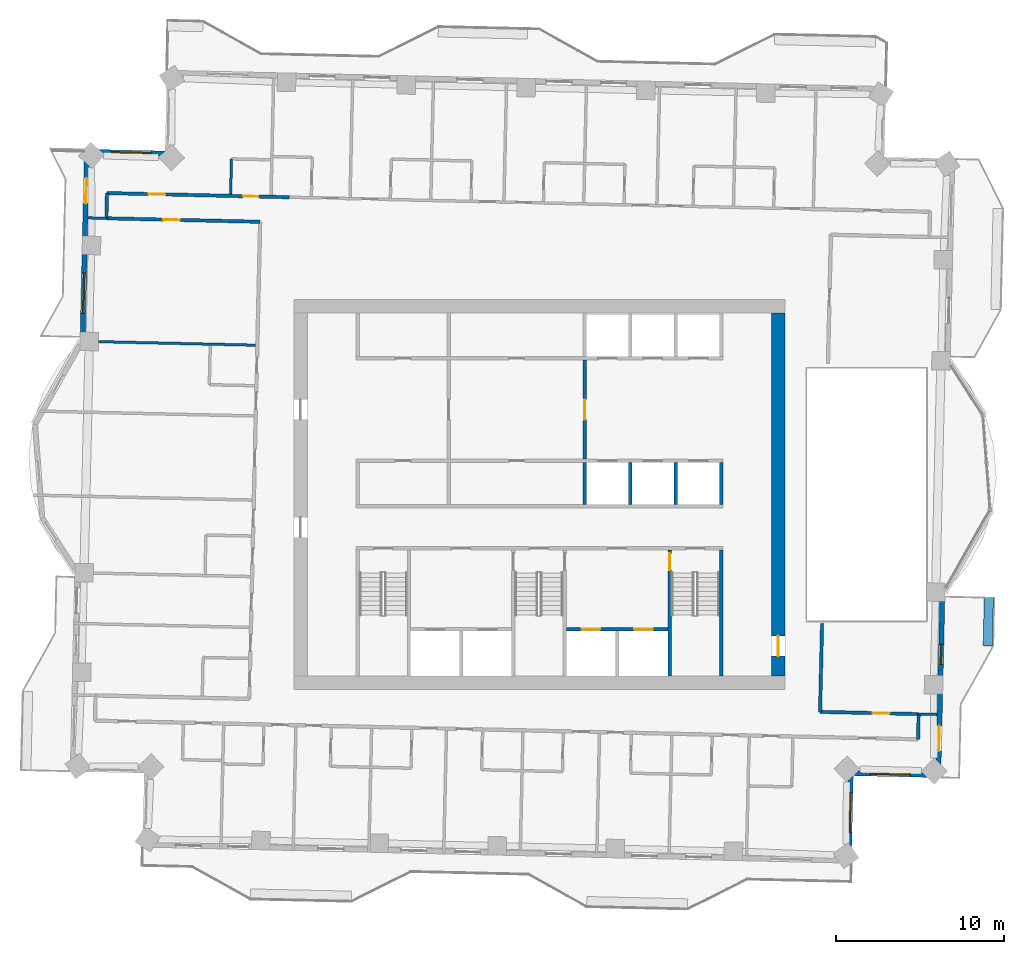
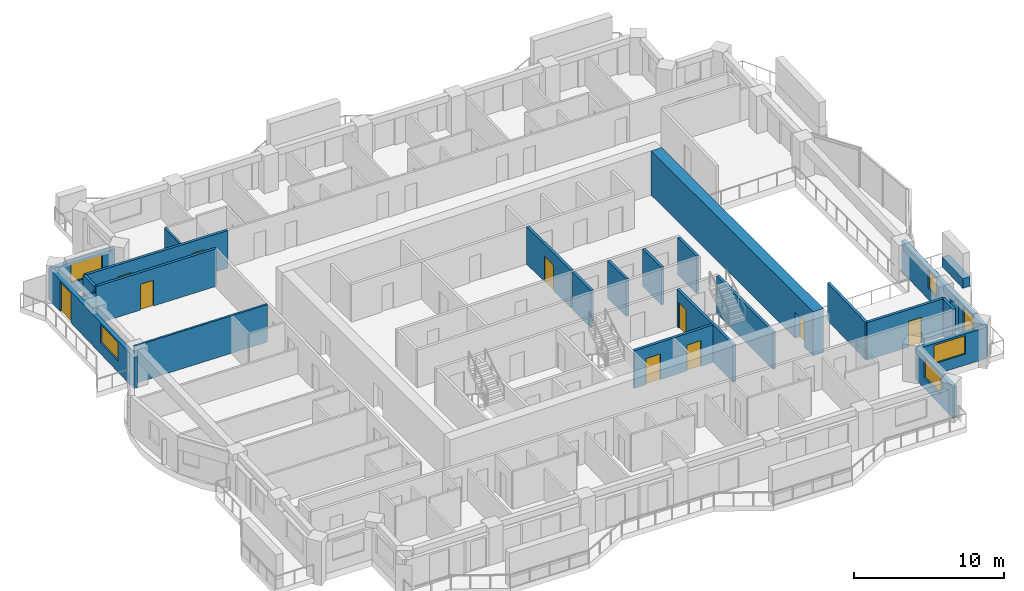
# One storey, part 7 of 14: 25 walls, 11 doors, 5 windows, 16 openings.
"""IFC4 building model written with IfcOpenShell, lengths in metres."""

from ifc_helpers import new_model, si_unit, direction, frame, frame_2d, origin, place, context, subcontext, project, spatial, rectangle, extrude, material, layer, layer_set, type_object, element, fill, save


model = new_model("IFC4")

# Units and contexts
model_context = context("Model", 3, precision=1e-05, world=origin(), true_north=direction((0.0, 1.0)))
body_context = subcontext(model_context, "Body", "Model", "MODEL_VIEW")
ifc_project = project(units=[si_unit("LENGTHUNIT", "METRE"), si_unit("AREAUNIT", "SQUARE_METRE"), si_unit("VOLUMEUNIT", "CUBIC_METRE"), si_unit("PLANEANGLEUNIT", "RADIAN"), si_unit("MASSUNIT", "GRAM", prefix="KILO")], contexts=[model_context])

# Site, building, storey
site_placement = place(None, origin())
site = spatial("IfcSite", under=ifc_project, at=site_placement, CompositionType="ELEMENT")
building_placement = place(site_placement, origin())
building = spatial("IfcBuilding", under=site, at=building_placement, Name="Mangrove Gate Tower", CompositionType="ELEMENT")
storey_placement = place(building_placement, frame((0.0, 0.0, 208.699951171875)))
storey = spatial("IfcBuildingStorey", under=building, at=storey_placement, Name="L53", CompositionType="ELEMENT", Elevation=208.699951171875)

# Wall, opening, door
ifc_material_1 = material(Name="Concrete C32/40", Category="concrete")
ifc_layer_1 = layer(ifc_material_1, 0.199951171875)
ifc_layer_set_1 = layer_set([ifc_layer_1], Name="Core lobby wall 200 C32/40")
wall_type_1 = type_object("IfcWallType", Name="Core lobby wall 200 C32/40", PredefinedType="STANDARD", material=ifc_layer_set_1)
wall_1_placement = place(storey_placement, frame((2.699951171875, 2.10009765625, 0.0), z_axis=(0.0, 0.0, 1.0), x_axis=(0.0, 1.0, 0.0)))
wall_1 = element("IfcWall", 1, at=wall_1_placement, inside=storey, type_object=wall_type_1, Name="WALL-L53-CORE-32", PredefinedType="STANDARD", context=body_context, shape_type="SweptSolid", body=[
    extrude(rectangle(XDim=5.89990234375, YDim=0.199951171875, at=frame_2d((2.949951171875, 0.0))), origin(), (0.0, 0.0, 1.0), 3.050048828125),
])
opening_1_placement = place(wall_1_placement, frame((2.35009765625, 0.0, 0.0)))
opening_1 = element("IfcOpeningElement", 2, at=opening_1_placement, cuts=wall_1, Name="Opening FL12", PredefinedType="OPENING", context=body_context, shape_type="SweptSolid", body=[
    extrude(rectangle(XDim=1.199951171875, YDim=2.10009765625, at=frame_2d((0.60009765625, 1.050048828125))), frame((0.0, 0.10986328125, 0.0), z_axis=(0.0, -1.0, 0.0), x_axis=(1.0, 0.0, 0.0)), (0.0, 0.0, 1.0), 0.219970703125),
])
ifc_material_2 = material(Name="Fire-rated steel door set", Category="steel")
door_type_1 = type_object("IfcDoorType", Name="Lobby door FD60 1200x2100", OperationType="SINGLE_SWING_LEFT", PredefinedType="DOOR", material=ifc_material_2)
door_1_placement = place(opening_1_placement, origin())
door_1 = element("IfcDoor", 3, at=door_1_placement, inside=storey, type_object=door_type_1, Name="Lobby door lift lobby partition", OperationType="SINGLE_SWING_LEFT", OverallHeight=2.10009765625, OverallWidth=1.199951171875, PredefinedType="DOOR", context=body_context, shape_type="SweptSolid", body=[
    extrude(rectangle(XDim=1.199951171875, YDim=2.10009765625, at=frame_2d((0.60009765625, 1.050048828125))), frame((0.0, 0.02490234375, 0.0), z_axis=(0.0, -1.0, 0.0), x_axis=(1.0, 0.0, 0.0)), (0.0, 0.0, 1.0), 0.050048828125),
])
fill(opening_1, door_1)

# Wall, openings, doors
ifc_material_3 = material(Name="Concrete C60/75", Category="concrete")
ifc_layer_2 = layer(ifc_material_3, 0.199951171875)
ifc_layer_set_2 = layer_set([ifc_layer_2], Name="Core shaft wall 200 C60/75")
wall_type_2 = type_object("IfcWallType", Name="Core shaft wall 200 C60/75", PredefinedType="SHEAR", material=ifc_layer_set_2)
wall_2_placement = place(storey_placement, frame((1.60009765625, -8.0, 0.0), z_axis=(0.0, 0.0, 1.0), x_axis=(1.0, 0.0, 0.0)))
wall_2 = element("IfcWall", 4, at=wall_2_placement, inside=storey, type_object=wall_type_2, Name="WALL-L53-CORE-17", PredefinedType="SHEAR", context=body_context, shape_type="SweptSolid", body=[
    extrude(rectangle(XDim=6.0498046875, YDim=0.199951171875, at=frame_2d((3.02490234375, 0.0))), origin(), (0.0, 0.0, 1.0), 3.050048828125),
])
opening_2_placement = place(wall_2_placement, frame((0.91259765625, 0.0, 0.0)))
opening_2 = element("IfcOpeningElement", 5, at=opening_2_placement, cuts=wall_2, Name="Opening LD", PredefinedType="OPENING", context=body_context, shape_type="SweptSolid", body=[
    extrude(rectangle(XDim=1.10009765625, YDim=2.10009765625, at=frame_2d((0.550048828125, 1.050048828125))), frame((0.0, 0.10986328125, 0.0), z_axis=(0.0, -1.0, 0.0), x_axis=(1.0, 0.0, 0.0)), (0.0, 0.0, 1.0), 0.219970703125),
])
opening_3_placement = place(wall_2_placement, frame((4.03759765625, 0.0, 0.0)))
opening_3 = element("IfcOpeningElement", 6, at=opening_3_placement, cuts=wall_2, Name="Opening LD", PredefinedType="OPENING", context=body_context, shape_type="SweptSolid", body=[
    extrude(rectangle(XDim=1.10009765625, YDim=2.10009765625, at=frame_2d((0.550048828125, 1.050048828125))), frame((0.0, 0.10986328125, 0.0), z_axis=(0.0, -1.0, 0.0), x_axis=(1.0, 0.0, 0.0)), (0.0, 0.0, 1.0), 0.219970703125),
])
ifc_material_4 = material(Name="Stainless steel 316", Category="steel")
door_type_2 = type_object("IfcDoorType", Name="Lift landing door 1100x2100", OperationType="SLIDING_TO_LEFT", PredefinedType="DOOR", material=ifc_material_4)
door_2_placement = place(opening_2_placement, origin())
door_2 = element("IfcDoor", 7, at=door_2_placement, inside=storey, type_object=door_type_2, Name="Landing door LD FFL1", OperationType="SLIDING_TO_LEFT", OverallHeight=2.10009765625, OverallWidth=1.10009765625, PredefinedType="DOOR", context=body_context, shape_type="SweptSolid", body=[
    extrude(rectangle(XDim=1.10009765625, YDim=2.10009765625, at=frame_2d((0.550048828125, 1.050048828125))), frame((0.0, 0.02490234375, 0.0), z_axis=(0.0, -1.0, 0.0), x_axis=(1.0, 0.0, 0.0)), (0.0, 0.0, 1.0), 0.050048828125),
])
fill(opening_2, door_2)
door_3_placement = place(opening_3_placement, origin())
door_3 = element("IfcDoor", 8, at=door_3_placement, inside=storey, type_object=door_type_2, Name="Landing door LD FFL2", OperationType="SLIDING_TO_LEFT", OverallHeight=2.10009765625, OverallWidth=1.10009765625, PredefinedType="DOOR", context=body_context, shape_type="SweptSolid", body=[
    extrude(rectangle(XDim=1.10009765625, YDim=2.10009765625, at=frame_2d((0.550048828125, 1.050048828125))), frame((0.0, 0.02490234375, 0.0), z_axis=(0.0, -1.0, 0.0), x_axis=(1.0, 0.0, 0.0)), (0.0, 0.0, 1.0), 0.050048828125),
])
fill(opening_3, door_3)

# Walls
for number, where, z_axis, x_axis, name in (
    (9, (2.699951171875, -0.60009765625, 0.0), (0.0, 0.0, 1.0), (0.0, 1.0, 0.0), "WALL-L53-CORE-21"),
    (10, (5.39990234375, -0.60009765625, 0.0), (0.0, 0.0, 1.0), (0.0, 1.0, 0.0), "WALL-L53-CORE-22"),
    (11, (8.10009765625, -0.60009765625, 0.0), (0.0, 0.0, 1.0), (0.0, 1.0, 0.0), "WALL-L53-CORE-23"),
    (12, (10.800048828125, -0.60009765625, 0.0), (0.0, 0.0, 1.0), (0.0, 1.0, 0.0), "WALL-L53-CORE-24"),
):
    element("IfcWall", number, at=place(storey_placement, frame(where, z_axis=z_axis, x_axis=x_axis)), inside=storey, type_object=wall_type_2, Name=name, PredefinedType="SHEAR", context=body_context, shape_type="SweptSolid", body=[
        extrude(rectangle(XDim=2.5, YDim=0.199951171875, at=frame_2d((1.25, 0.0))), origin(), (0.0, 0.0, 1.0), 3.050048828125),
    ])

# Wall, opening, door
ifc_material_5 = material(Name="Concrete C60/75", Category="concrete")
ifc_layer_3 = layer(ifc_material_5, 0.199951171875)
ifc_layer_set_3 = layer_set([ifc_layer_3], Name="Core stair wall 200 C60/75")
wall_type_3 = type_object("IfcWallType", Name="Core stair wall 200 C60/75", PredefinedType="SHEAR", material=ifc_layer_set_3)
wall_3_placement = place(storey_placement, frame((7.75, -10.800048828125, 0.0), z_axis=(0.0, 0.0, 1.0), x_axis=(0.0, 1.0, 0.0)))
wall_3 = element("IfcWall", 13, at=wall_3_placement, inside=storey, type_object=wall_type_3, Name="WALL-L53-CORE-13", PredefinedType="SHEAR", context=body_context, shape_type="SweptSolid", body=[
    extrude(rectangle(XDim=7.5, YDim=0.199951171875, at=frame_2d((3.75, 0.0))), origin(), (0.0, 0.0, 1.0), 3.050048828125),
])
opening_4_placement = place(wall_3_placement, frame((6.300048828125, 0.0, 0.0)))
opening_4 = element("IfcOpeningElement", 14, at=opening_4_placement, cuts=wall_3, Name="Opening STD10", PredefinedType="OPENING", context=body_context, shape_type="SweptSolid", body=[
    extrude(rectangle(XDim=1.0, YDim=2.10009765625, at=frame_2d((0.5, 1.050048828125))), frame((0.0, 0.10986328125, 0.0), z_axis=(0.0, -1.0, 0.0), x_axis=(1.0, 0.0, 0.0)), (0.0, 0.0, 1.0), 0.219970703125),
])
ifc_material_6 = material(Name="Fire-rated steel door set", Category="steel")
door_type_3 = type_object("IfcDoorType", Name="Stair door FD60 1000x2100", OperationType="SINGLE_SWING_RIGHT", PredefinedType="DOOR", material=ifc_material_6)
door_4_placement = place(opening_4_placement, origin())
door_4 = element("IfcDoor", 15, at=door_4_placement, inside=storey, type_object=door_type_3, Name="Stair door Stair 3 from fire-fighting lobby", OperationType="SINGLE_SWING_RIGHT", OverallHeight=2.10009765625, OverallWidth=1.0, PredefinedType="DOOR", context=body_context, shape_type="SweptSolid", body=[
    extrude(rectangle(XDim=1.0, YDim=2.10009765625, at=frame_2d((0.5, 1.050048828125))), frame((0.0, 0.02490234375, 0.0), z_axis=(0.0, -1.0, 0.0), x_axis=(1.0, 0.0, 0.0)), (0.0, 0.0, 1.0), 0.050048828125),
])
fill(opening_4, door_4)

# Wall
wall_4_placement = place(storey_placement, frame((10.800048828125, -10.800048828125, 0.0), z_axis=(0.0, 0.0, 1.0), x_axis=(0.0, 1.0, 0.0)))
element("IfcWall", 16, at=wall_4_placement, inside=storey, type_object=wall_type_3, Name="WALL-L53-CORE-14", PredefinedType="SHEAR", context=body_context, shape_type="SweptSolid", body=[
    extrude(rectangle(XDim=7.5, YDim=0.199951171875, at=frame_2d((3.75, 0.0))), origin(), (0.0, 0.0, 1.0), 3.050048828125),
])

# Wall, opening, door
ifc_material_7 = material(Name="Concrete C60/75", Category="concrete")
ifc_layer_4 = layer(ifc_material_7, 0.800048828125)
ifc_layer_set_4 = layer_set([ifc_layer_4], Name="Core wall 800 C60/75")
wall_type_4 = type_object("IfcWallType", Name="Core wall 800 C60/75", PredefinedType="SHEAR", material=ifc_layer_set_4)
wall_5_placement = place(storey_placement, frame((14.199951171875, -10.800048828125, 0.0), z_axis=(0.0, 0.0, 1.0), x_axis=(0.0, 1.0, 0.0)))
wall_5 = element("IfcWall", 17, at=wall_5_placement, inside=storey, type_object=wall_type_4, Name="WALL-L53-CORE-4", PredefinedType="SHEAR", context=body_context, shape_type="SweptSolid", body=[
    extrude(rectangle(XDim=21.60009765625, YDim=0.800048828125, at=frame_2d((10.800048828125, 0.0))), origin(), (0.0, 0.0, 1.0), 3.60009765625),
])
opening_5_placement = place(wall_5_placement, frame((1.199951171875, 0.0, 0.0)))
opening_5 = element("IfcOpeningElement", 18, at=opening_5_placement, cuts=wall_5, Name="Opening CD", PredefinedType="OPENING", context=body_context, shape_type="SweptSolid", body=[
    extrude(rectangle(XDim=1.199951171875, YDim=2.10009765625, at=frame_2d((0.60009765625, 1.050048828125))), frame((0.0, 0.409912109375, 0.0), z_axis=(0.0, -1.0, 0.0), x_axis=(1.0, 0.0, 0.0)), (0.0, 0.0, 1.0), 0.820068359375),
])
ifc_material_8 = material(Name="Fire-rated steel door set", Category="steel")
door_type_4 = type_object("IfcDoorType", Name="Core ring door FD60 1200x2100", OperationType="DOUBLE_DOOR_SINGLE_SWING", PredefinedType="DOOR", material=ifc_material_8)
door_5_placement = place(opening_5_placement, origin())
door_5 = element("IfcDoor", 19, at=door_5_placement, inside=storey, type_object=door_type_4, Name="Core ring door E1", OperationType="DOUBLE_DOOR_SINGLE_SWING", OverallHeight=2.10009765625, OverallWidth=1.199951171875, PredefinedType="DOOR", context=body_context, shape_type="SweptSolid", body=[
    extrude(rectangle(XDim=1.199951171875, YDim=2.10009765625, at=frame_2d((0.60009765625, 1.050048828125))), frame((0.0, 0.02490234375, 0.0), z_axis=(0.0, -1.0, 0.0), x_axis=(1.0, 0.0, 0.0)), (0.0, 0.0, 1.0), 0.050048828125),
])
fill(opening_5, door_5)

# Wall
ifc_material_9 = material(Name="Gypsum board on steel stud, EI 60", Category="steel")
ifc_layer_5 = layer(ifc_material_9, 0.199951171875)
ifc_layer_set_5 = layer_set([ifc_layer_5], Name="Corridor wall EI 60")
wall_type_5 = type_object("IfcWallType", Name="Corridor wall EI 60", PredefinedType="PARTITIONING", material=ifc_layer_set_5)
wall_6_placement = place(storey_placement, frame((22.509033203125, -14.551025390625, 0.0), z_axis=(0.0, 0.0, 1.0), x_axis=(0.022632637625, 0.99974384905, 0.0)))
element("IfcWall", 20, at=wall_6_placement, inside=storey, type_object=wall_type_5, Name="WALL-L53-026", PredefinedType="PARTITIONING", context=body_context, shape_type="SweptSolid", body=[
    extrude(rectangle(XDim=1.49951171875, YDim=0.199951171875, at=frame_2d((0.749755859375, 0.0))), origin(), (0.0, 0.0, 1.0), 3.050048828125),
])

# Wall, opening, door
wall_7_placement = place(storey_placement, frame((16.678955078125, -12.91796875, 0.0), z_axis=(0.0, 0.0, 1.0), x_axis=(0.999739057042, -0.022843332181, 0.0)))
wall_7 = element("IfcWall", 21, at=wall_7_placement, inside=storey, type_object=wall_type_5, Name="WALL-L53-031", PredefinedType="PARTITIONING", context=body_context, shape_type="SweptSolid", body=[
    extrude(rectangle(XDim=5.867431640625, YDim=0.199951171875, at=frame_2d((2.93359375, 0.0))), origin(), (0.0, 0.0, 1.0), 3.050048828125),
])
opening_6_placement = place(wall_7_placement, frame((3.134033203125, 0.0, 0.0)))
opening_6 = element("IfcOpeningElement", 22, at=opening_6_placement, cuts=wall_7, Name="Opening AD", PredefinedType="OPENING", context=body_context, shape_type="SweptSolid", body=[
    extrude(rectangle(XDim=1.0, YDim=2.10009765625, at=frame_2d((0.5, 1.050048828125))), frame((0.0, 0.10986328125, 0.0), z_axis=(0.0, -1.0, 0.0), x_axis=(1.0, 0.0, 0.0)), (0.0, 0.0, 1.0), 0.219970703125),
])
ifc_material_10 = material(Name="Timber door leaf", Category="wood")
door_type_5 = type_object("IfcDoorType", Name="Amenity door 1000", OperationType="SINGLE_SWING_LEFT", PredefinedType="DOOR", material=ifc_material_10)
door_6_placement = place(opening_6_placement, origin())
door_6 = element("IfcDoor", 23, at=door_6_placement, inside=storey, type_object=door_type_5, Name="DOOR-L53-LNG-c3a", OperationType="SINGLE_SWING_LEFT", OverallHeight=2.10009765625, OverallWidth=1.0, PredefinedType="DOOR", context=body_context, shape_type="SweptSolid", body=[
    extrude(rectangle(XDim=1.0, YDim=2.10009765625, at=frame_2d((0.5, 1.050048828125))), frame((0.0, 0.02490234375, 0.0), z_axis=(0.0, -1.0, 0.0), x_axis=(1.0, 0.0, 0.0)), (0.0, 0.0, 1.0), 0.050048828125),
])
fill(opening_6, door_6)

# Wall
wall_8_placement = place(storey_placement, frame((16.68408203125, -12.9189453125, 0.0), z_axis=(0.0, 0.0, 1.0), x_axis=(0.022667483124, 0.999743059595, 0.0)))
element("IfcWall", 24, at=wall_8_placement, inside=storey, type_object=wall_type_5, Name="WALL-L53-032", PredefinedType="PARTITIONING", context=body_context, shape_type="SweptSolid", body=[
    extrude(rectangle(XDim=5.245361328125, YDim=0.199951171875, at=frame_2d((2.62255859375, 0.0))), origin(), (0.0, 0.0, 1.0), 3.050048828125),
])

# Wall, opening, door
wall_9_placement = place(storey_placement, frame((-25.742919921875, 16.422119140625, 0.0), z_axis=(0.0, 0.0, 1.0), x_axis=(0.999741076645, -0.022754772455, 0.0)))
wall_9 = element("IfcWall", 25, at=wall_9_placement, inside=storey, type_object=wall_type_5, Name="WALL-L53-046", PredefinedType="PARTITIONING", context=body_context, shape_type="SweptSolid", body=[
    extrude(rectangle(XDim=9.141357421875, YDim=0.199951171875, at=frame_2d((4.57080078125, 0.0))), origin(), (0.0, 0.0, 1.0), 3.050048828125),
])
opening_7_placement = place(wall_9_placement, frame((3.37109375, 0.0, 0.0)))
opening_7 = element("IfcOpeningElement", 26, at=opening_7_placement, cuts=wall_9, Name="Opening AD", PredefinedType="OPENING", context=body_context, shape_type="SweptSolid", body=[
    extrude(rectangle(XDim=1.0, YDim=2.10009765625, at=frame_2d((0.5, 1.050048828125))), frame((0.0, 0.10986328125, 0.0), z_axis=(0.0, -1.0, 0.0), x_axis=(1.0, 0.0, 0.0)), (0.0, 0.0, 1.0), 0.219970703125),
])
door_7_placement = place(opening_7_placement, origin())
door_7 = element("IfcDoor", 27, at=door_7_placement, inside=storey, type_object=door_type_5, Name="DOOR-L53-LNG-c5b", OperationType="SINGLE_SWING_LEFT", OverallHeight=2.10009765625, OverallWidth=1.0, PredefinedType="DOOR", context=body_context, shape_type="SweptSolid", body=[
    extrude(rectangle(XDim=1.0, YDim=2.10009765625, at=frame_2d((0.5, 1.050048828125))), frame((0.0, 0.02490234375, 0.0), z_axis=(0.0, -1.0, 0.0), x_axis=(1.0, 0.0, 0.0)), (0.0, 0.0, 1.0), 0.050048828125),
])
fill(opening_7, door_7)

# Wall
wall_10_placement = place(storey_placement, frame((-25.740966796875, 16.425048828125, 0.0), z_axis=(0.0, 0.0, 1.0), x_axis=(0.022617910375, 0.999744182344, 0.0)))
element("IfcWall", 28, at=wall_10_placement, inside=storey, type_object=wall_type_5, Name="WALL-L53-049", PredefinedType="PARTITIONING", context=body_context, shape_type="SweptSolid", body=[
    extrude(rectangle(XDim=1.50048828125, YDim=0.199951171875, at=frame_2d((0.750244140625, 0.0))), origin(), (0.0, 0.0, 1.0), 3.050048828125),
])

# Wall, openings, doors
wall_11_placement = place(storey_placement, frame((-25.708984375, 17.9208984375, 0.0), z_axis=(0.0, 0.0, 1.0), x_axis=(0.999742764922, -0.022680475901, 0.0)))
wall_11 = element("IfcWall", 29, at=wall_11_placement, inside=storey, type_object=wall_type_5, Name="WALL-L53-051", PredefinedType="PARTITIONING", context=body_context, shape_type="SweptSolid", body=[
    extrude(rectangle(XDim=10.839599609375, YDim=0.199951171875, at=frame_2d((5.419921875, 0.0))), origin(), (0.0, 0.0, 1.0), 3.050048828125),
])
opening_8_placement = place(wall_11_placement, frame((2.47509765625, 0.0, 0.0)))
opening_8 = element("IfcOpeningElement", 30, at=opening_8_placement, cuts=wall_11, Name="Opening AD", PredefinedType="OPENING", context=body_context, shape_type="SweptSolid", body=[
    extrude(rectangle(XDim=1.0, YDim=2.10009765625, at=frame_2d((0.5, 1.050048828125))), frame((0.0, 0.10986328125, 0.0), z_axis=(0.0, -1.0, 0.0), x_axis=(1.0, 0.0, 0.0)), (0.0, 0.0, 1.0), 0.219970703125),
])
opening_9_placement = place(wall_11_placement, frame((8.10009765625, 0.0, 0.0)))
opening_9 = element("IfcOpeningElement", 31, at=opening_9_placement, cuts=wall_11, Name="Opening SD", PredefinedType="OPENING", context=body_context, shape_type="SweptSolid", body=[
    extrude(rectangle(XDim=0.89990234375, YDim=2.10009765625, at=frame_2d((0.449951171875, 1.050048828125))), frame((0.0, 0.10986328125, 0.0), z_axis=(0.0, -1.0, 0.0), x_axis=(1.0, 0.0, 0.0)), (0.0, 0.0, 1.0), 0.219970703125),
])
door_8_placement = place(opening_8_placement, origin())
door_8 = element("IfcDoor", 32, at=door_8_placement, inside=storey, type_object=door_type_5, Name="DOOR-L53-LNG-c5a", OperationType="SINGLE_SWING_RIGHT", OverallHeight=2.10009765625, OverallWidth=1.0, PredefinedType="DOOR", context=body_context, shape_type="SweptSolid", body=[
    extrude(rectangle(XDim=1.0, YDim=2.10009765625, at=frame_2d((0.5, 1.050048828125))), frame((0.0, 0.02490234375, 0.0), z_axis=(0.0, -1.0, 0.0), x_axis=(1.0, 0.0, 0.0)), (0.0, 0.0, 1.0), 0.050048828125),
])
fill(opening_8, door_8)
ifc_material_11 = material(Name="Timber door leaf", Category="wood")
door_type_6 = type_object("IfcDoorType", Name="Service room door 900", OperationType="SINGLE_SWING_LEFT", PredefinedType="DOOR", material=ifc_material_11)
door_9_placement = place(opening_9_placement, origin())
door_9 = element("IfcDoor", 33, at=door_9_placement, inside=storey, type_object=door_type_6, Name="DOOR-L53-LIN-c5a", OperationType="SINGLE_SWING_LEFT", OverallHeight=2.10009765625, OverallWidth=0.89990234375, PredefinedType="DOOR", context=body_context, shape_type="SweptSolid", body=[
    extrude(rectangle(XDim=0.89990234375, YDim=2.10009765625, at=frame_2d((0.449951171875, 1.050048828125))), frame((0.0, 0.02490234375, 0.0), z_axis=(0.0, -1.0, 0.0), x_axis=(1.0, 0.0, 0.0)), (0.0, 0.0, 1.0), 0.050048828125),
])
fill(opening_9, door_9)

# Wall, openings, door, window
ifc_material_12 = material(Name="Limestone", Category="masonry")
ifc_layer_6 = layer(ifc_material_12, 0.0400390625, Name="Limestone cladding")
ifc_material_13 = material(Name="Ventilated air gap")
ifc_layer_7 = layer(ifc_material_13, 0.0400390625, Name="Ventilated cavity")
ifc_material_14 = material(Name="Mineral wool insulation")
ifc_layer_8 = layer(ifc_material_14, 0.06005859375, Name="Insulation")
ifc_material_15 = material(Name="Breather membrane")
ifc_layer_9 = layer(ifc_material_15, 0.001953125, Name="Breather membrane")
ifc_material_16 = material(Name="Concrete C20/25 blockwork", Category="masonry")
ifc_layer_10 = layer(ifc_material_16, 0.14990234375, Name="Blockwork backing wall")
ifc_material_17 = material(Name="Gypsum plaster")
ifc_layer_11 = layer(ifc_material_17, 0.008056640625, Name="Internal plaster")
ifc_layer_set_6 = layer_set([ifc_layer_6, ifc_layer_7, ifc_layer_8, ifc_layer_9, ifc_layer_10, ifc_layer_11], Name="External wall 300 limestone cladding")
wall_type_6 = type_object("IfcWallType", Name="External wall 300 limestone cladding", PredefinedType="SOLIDWALL", material=ifc_layer_set_6)
wall_12_placement = place(storey_placement, frame((23.712890625, -16.678955078125, 0.0), z_axis=(0.0, 0.0, 1.0), x_axis=(0.022674801414, 0.999742893639, 0.0)))
wall_12 = element("IfcWall", 34, at=wall_12_placement, inside=storey, type_object=wall_type_6, Name="WALL-L53-E0s1", PredefinedType="SOLIDWALL", context=body_context, shape_type="SweptSolid", body=[
    extrude(rectangle(XDim=11.423828125, YDim=0.300048828125, at=frame_2d((5.7119140625, 0.0))), origin(), (0.0, 0.0, 1.0), 2.550048828125),
])
opening_10_placement = place(wall_12_placement, frame((1.427978515625, 0.0, 0.0)))
opening_10 = element("IfcOpeningElement", 35, at=opening_10_placement, cuts=wall_12, Name="Opening BD1", PredefinedType="OPENING", context=body_context, shape_type="SweptSolid", body=[
    extrude(rectangle(XDim=1.5, YDim=2.39990234375, at=frame_2d((0.75, 1.199951171875))), frame((0.0, 0.159912109375, 0.0), z_axis=(0.0, -1.0, 0.0), x_axis=(1.0, 0.0, 0.0)), (0.0, 0.0, 1.0), 0.320068359375),
])
opening_11_placement = place(wall_12_placement, frame((6.576904296875, 0.0, 0.89990234375)))
opening_11 = element("IfcOpeningElement", 36, at=opening_11_placement, cuts=wall_12, Name="Opening W1", PredefinedType="OPENING", context=body_context, shape_type="SweptSolid", body=[
    extrude(rectangle(XDim=1.199951171875, YDim=1.5, at=frame_2d((0.60009765625, 0.75))), frame((0.0, 0.159912109375, 0.0), z_axis=(0.0, -1.0, 0.0), x_axis=(1.0, 0.0, 0.0)), (0.0, 0.0, 1.0), 0.320068359375),
])
ifc_material_18 = material(Name="Aluminium frame with laminated clear glass", Category="aluminium")
door_type_7 = type_object("IfcDoorType", Name="Balcony sliding door 1500x2400", OperationType="SLIDING_TO_LEFT", PredefinedType="DOOR", material=ifc_material_18)
door_10_placement = place(opening_10_placement, origin())
door_10 = element("IfcDoor", 37, at=door_10_placement, inside=storey, type_object=door_type_7, Name="DOOR-L53-E0-1", OperationType="SLIDING_TO_LEFT", OverallHeight=2.39990234375, OverallWidth=1.5, PredefinedType="DOOR", context=body_context, shape_type="SweptSolid", body=[
    extrude(rectangle(XDim=1.5, YDim=2.39990234375, at=frame_2d((0.75, 1.199951171875))), frame((0.0, 0.02490234375, 0.0), z_axis=(0.0, -1.0, 0.0), x_axis=(1.0, 0.0, 0.0)), (0.0, 0.0, 1.0), 0.050048828125),
])
fill(opening_10, door_10)
ifc_material_19 = material(Name="Aluminium frame with double-glazed low-e glass", Category="aluminium")
window_type_1 = type_object("IfcWindowType", Name="Side lite 1200x1500", PartitioningType="SINGLE_PANEL", PredefinedType="WINDOW", material=ifc_material_19)
window_1_placement = place(opening_11_placement, origin())
window_1 = element("IfcWindow", 38, at=window_1_placement, inside=storey, type_object=window_type_1, Name="WIN-L53-E0-2", OverallHeight=1.5, OverallWidth=1.199951171875, PartitioningType="SINGLE_PANEL", PredefinedType="WINDOW", context=body_context, shape_type="SweptSolid", body=[
    extrude(rectangle(XDim=1.199951171875, YDim=1.5, at=frame_2d((0.60009765625, 0.75))), frame((0.0, 0.030029296875, 0.0), z_axis=(0.0, -1.0, 0.0), x_axis=(1.0, 0.0, 0.0)), (0.0, 0.0, 1.0), 0.06005859375),
])
fill(opening_11, window_1)

# Wall, opening, window
wall_13_placement = place(storey_placement, frame((-22.10498046875, 20.27001953125, 0.0), z_axis=(0.0, 0.0, 1.0), x_axis=(-0.999742701292, 0.022683280499, 0.0)))
wall_13 = element("IfcWall", 39, at=wall_13_placement, inside=storey, type_object=wall_type_6, Name="WALL-L53-N7", PredefinedType="SOLIDWALL", context=body_context, shape_type="SweptSolid", body=[
    extrude(rectangle(XDim=4.80029296875, YDim=0.300048828125, at=frame_2d((2.400146484375, 0.0))), origin(), (0.0, 0.0, 1.0), 2.550048828125),
])
opening_12_placement = place(wall_13_placement, frame((0.946044921875, 0.0, 0.89990234375)))
opening_12 = element("IfcOpeningElement", 40, at=opening_12_placement, cuts=wall_13, Name="Opening W2", PredefinedType="OPENING", context=body_context, shape_type="SweptSolid", body=[
    extrude(rectangle(XDim=2.39990234375, YDim=1.5, at=frame_2d((1.199951171875, 0.75))), frame((0.0, 0.159912109375, 0.0), z_axis=(0.0, -1.0, 0.0), x_axis=(1.0, 0.0, 0.0)), (0.0, 0.0, 1.0), 0.320068359375),
])
ifc_material_20 = material(Name="Aluminium frame with double-glazed low-e glass", Category="aluminium")
window_type_2 = type_object("IfcWindowType", Name="Corner room window 2400x1500", PartitioningType="DOUBLE_PANEL_VERTICAL", PredefinedType="WINDOW", material=ifc_material_20)
window_2_placement = place(opening_12_placement, origin())
window_2 = element("IfcWindow", 41, at=window_2_placement, inside=storey, type_object=window_type_2, Name="WIN-L53-N7-1", OverallHeight=1.5, OverallWidth=2.39990234375, PartitioningType="DOUBLE_PANEL_VERTICAL", PredefinedType="WINDOW", context=body_context, shape_type="SweptSolid", body=[
    extrude(rectangle(XDim=2.39990234375, YDim=1.5, at=frame_2d((1.199951171875, 0.75))), frame((0.0, 0.030029296875, 0.0), z_axis=(0.0, -1.0, 0.0), x_axis=(1.0, 0.0, 0.0)), (0.0, 0.0, 1.0), 0.06005859375),
])
fill(opening_12, window_2)

# Wall, openings, door, window
wall_14_placement = place(storey_placement, frame((-26.904052734375, 20.37890625, 0.0), z_axis=(0.0, 0.0, 1.0), x_axis=(-0.022671687694, -0.999742964255, 0.0)))
wall_14 = element("IfcWall", 42, at=wall_14_placement, inside=storey, type_object=wall_type_6, Name="WALL-L53-W8s1", PredefinedType="SOLIDWALL", context=body_context, shape_type="SweptSolid", body=[
    extrude(rectangle(XDim=11.82373046875, YDim=0.300048828125, at=frame_2d((5.911865234375, 0.0))), origin(), (0.0, 0.0, 1.0), 2.550048828125),
])
opening_13_placement = place(wall_14_placement, frame((1.577880859375, 0.0, 0.0)))
opening_13 = element("IfcOpeningElement", 43, at=opening_13_placement, cuts=wall_14, Name="Opening BD1", PredefinedType="OPENING", context=body_context, shape_type="SweptSolid", body=[
    extrude(rectangle(XDim=1.5, YDim=2.39990234375, at=frame_2d((0.75, 1.199951171875))), frame((0.0, 0.159912109375, 0.0), z_axis=(0.0, -1.0, 0.0), x_axis=(1.0, 0.0, 0.0)), (0.0, 0.0, 1.0), 0.320068359375),
])
opening_14_placement = place(wall_14_placement, frame((7.218017578125, 0.0, 0.89990234375)))
opening_14 = element("IfcOpeningElement", 44, at=opening_14_placement, cuts=wall_14, Name="Opening W2", PredefinedType="OPENING", context=body_context, shape_type="SweptSolid", body=[
    extrude(rectangle(XDim=2.39990234375, YDim=1.5, at=frame_2d((1.199951171875, 0.75))), frame((0.0, 0.159912109375, 0.0), z_axis=(0.0, -1.0, 0.0), x_axis=(1.0, 0.0, 0.0)), (0.0, 0.0, 1.0), 0.320068359375),
])
door_11_placement = place(opening_13_placement, origin())
door_11 = element("IfcDoor", 45, at=door_11_placement, inside=storey, type_object=door_type_7, Name="DOOR-L53-W8-1", OperationType="SLIDING_TO_LEFT", OverallHeight=2.39990234375, OverallWidth=1.5, PredefinedType="DOOR", context=body_context, shape_type="SweptSolid", body=[
    extrude(rectangle(XDim=1.5, YDim=2.39990234375, at=frame_2d((0.75, 1.199951171875))), frame((0.0, 0.02490234375, 0.0), z_axis=(0.0, -1.0, 0.0), x_axis=(1.0, 0.0, 0.0)), (0.0, 0.0, 1.0), 0.050048828125),
])
fill(opening_13, door_11)
window_3_placement = place(opening_14_placement, origin())
window_3 = element("IfcWindow", 46, at=window_3_placement, inside=storey, type_object=window_type_2, Name="WIN-L53-W8-2", OverallHeight=1.5, OverallWidth=2.39990234375, PartitioningType="DOUBLE_PANEL_VERTICAL", PredefinedType="WINDOW", context=body_context, shape_type="SweptSolid", body=[
    extrude(rectangle(XDim=2.39990234375, YDim=1.5, at=frame_2d((1.199951171875, 0.75))), frame((0.0, 0.030029296875, 0.0), z_axis=(0.0, -1.0, 0.0), x_axis=(1.0, 0.0, 0.0)), (0.0, 0.0, 1.0), 0.06005859375),
])
fill(opening_14, window_3)

# Wall, opening, window
wall_15_placement = place(storey_placement, frame((18.39599609375, -21.760009765625, 0.0), z_axis=(0.0, 0.0, 1.0), x_axis=(0.022675548694, 0.99974287669, 0.0)))
wall_15 = element("IfcWall", 47, at=wall_15_placement, inside=storey, type_object=wall_type_6, Name="WALL-L53-E14", PredefinedType="SOLIDWALL", context=body_context, shape_type="SweptSolid", body=[
    extrude(rectangle(XDim=5.2001953125, YDim=0.300048828125, at=frame_2d((2.60009765625, 0.0))), origin(), (0.0, 0.0, 1.0), 2.550048828125),
])
opening_15_placement = place(wall_15_placement, frame((1.660888671875, 0.0, 0.89990234375)))
opening_15 = element("IfcOpeningElement", 48, at=opening_15_placement, cuts=wall_15, Name="Opening W2", PredefinedType="OPENING", context=body_context, shape_type="SweptSolid", body=[
    extrude(rectangle(XDim=2.39990234375, YDim=1.5, at=frame_2d((1.199951171875, 0.75))), frame((0.0, 0.159912109375, 0.0), z_axis=(0.0, -1.0, 0.0), x_axis=(1.0, 0.0, 0.0)), (0.0, 0.0, 1.0), 0.320068359375),
])
window_4_placement = place(opening_15_placement, origin())
window_4 = element("IfcWindow", 49, at=window_4_placement, inside=storey, type_object=window_type_2, Name="WIN-L53-E14-1", OverallHeight=1.5, OverallWidth=2.39990234375, PartitioningType="DOUBLE_PANEL_VERTICAL", PredefinedType="WINDOW", context=body_context, shape_type="SweptSolid", body=[
    extrude(rectangle(XDim=2.39990234375, YDim=1.5, at=frame_2d((1.199951171875, 0.75))), frame((0.0, 0.030029296875, 0.0), z_axis=(0.0, -1.0, 0.0), x_axis=(1.0, 0.0, 0.0)), (0.0, 0.0, 1.0), 0.06005859375),
])
fill(opening_15, window_4)

wall_16_placement = place(storey_placement, frame((18.513916015625, -16.56103515625, 0.0), z_axis=(0.0, 0.0, 1.0), x_axis=(0.99974287669, -0.022675548694, 0.0)))
wall_16 = element("IfcWall", 50, at=wall_16_placement, inside=storey, type_object=wall_type_6, Name="WALL-L53-S15", PredefinedType="SOLIDWALL", context=body_context, shape_type="SweptSolid", body=[
    extrude(rectangle(XDim=5.2001953125, YDim=0.300048828125, at=frame_2d((2.60009765625, 0.0))), origin(), (0.0, 0.0, 1.0), 2.550048828125),
])
opening_16_placement = place(wall_16_placement, frame((1.156005859375, 0.0, 0.89990234375)))
opening_16 = element("IfcOpeningElement", 51, at=opening_16_placement, cuts=wall_16, Name="Opening W2", PredefinedType="OPENING", context=body_context, shape_type="SweptSolid", body=[
    extrude(rectangle(XDim=2.39990234375, YDim=1.5, at=frame_2d((1.199951171875, 0.75))), frame((0.0, 0.159912109375, 0.0), z_axis=(0.0, -1.0, 0.0), x_axis=(1.0, 0.0, 0.0)), (0.0, 0.0, 1.0), 0.320068359375),
])
window_5_placement = place(opening_16_placement, origin())
window_5 = element("IfcWindow", 52, at=window_5_placement, inside=storey, type_object=window_type_2, Name="WIN-L53-S15-1", OverallHeight=1.5, OverallWidth=2.39990234375, PartitioningType="DOUBLE_PANEL_VERTICAL", PredefinedType="WINDOW", context=body_context, shape_type="SweptSolid", body=[
    extrude(rectangle(XDim=2.39990234375, YDim=1.5, at=frame_2d((1.199951171875, 0.75))), frame((0.0, 0.030029296875, 0.0), z_axis=(0.0, -1.0, 0.0), x_axis=(1.0, 0.0, 0.0)), (0.0, 0.0, 1.0), 0.06005859375),
])
fill(opening_16, window_5)

# Walls
ifc_material_21 = material(Name="Gypsum board on steel stud, EI 60", Category="steel")
ifc_layer_12 = layer(ifc_material_21, 0.14990234375)
ifc_layer_set_7 = layer_set([ifc_layer_12], Name="Party wall 150 EI 60")
wall_type_7 = type_object("IfcWallType", Name="Party wall 150 EI 60", PredefinedType="PARTITIONING", material=ifc_layer_set_7)
wall_17_placement = place(storey_placement, frame((22.541015625, -13.051025390625, 0.0), z_axis=(0.0, 0.0, 1.0), x_axis=(0.999725373977, -0.023434517833, 0.0)))
element("IfcWall", 53, at=wall_17_placement, inside=storey, type_object=wall_type_7, Name="WALL-L53-033", PredefinedType="PARTITIONING", context=body_context, shape_type="SweptSolid", body=[
    extrude(rectangle(XDim=1.104248046875, YDim=0.14990234375, at=frame_2d((0.55224609375, 0.0))), origin(), (0.0, 0.0, 1.0), 2.550048828125),
])
wall_18_placement = place(storey_placement, frame((-27.010009765625, 9.10791015625, 0.0), z_axis=(0.0, 0.0, 1.0), x_axis=(0.999742841246, -0.022677111331, 0.0)))
element("IfcWall", 54, at=wall_18_placement, inside=storey, type_object=wall_type_7, Name="WALL-L53-044", PredefinedType="PARTITIONING", context=body_context, shape_type="SweptSolid", body=[
    extrude(rectangle(XDim=10.1416015625, YDim=0.14990234375, at=frame_2d((5.07080078125, 0.0))), origin(), (0.0, 0.0, 1.0), 3.050048828125),
])
wall_19_placement = place(storey_placement, frame((-26.843017578125, 16.447021484375, 0.0), z_axis=(0.0, 0.0, 1.0), x_axis=(0.999720170098, -0.023655475055, 0.0)))
element("IfcWall", 55, at=wall_19_placement, inside=storey, type_object=wall_type_7, Name="WALL-L53-045", PredefinedType="PARTITIONING", context=body_context, shape_type="SweptSolid", body=[
    extrude(rectangle(XDim=1.104248046875, YDim=0.14990234375, at=frame_2d((0.55224609375, 0.0))), origin(), (0.0, 0.0, 1.0), 2.550048828125),
])
wall_20_placement = place(storey_placement, frame((-18.35693359375, 17.85791015625, 0.0), z_axis=(0.0, 0.0, 1.0), x_axis=(0.022779486249, 0.999740513837, 0.0)))
element("IfcWall", 56, at=wall_20_placement, inside=storey, type_object=wall_type_7, Name="WALL-L53-054", PredefinedType="PARTITIONING", context=body_context, shape_type="SweptSolid", body=[
    extrude(rectangle(XDim=2.1005859375, YDim=0.14990234375, at=frame_2d((1.05029296875, 0.0))), origin(), (0.0, 0.0, 1.0), 3.050048828125),
])
ifc_material_22 = material(Name="Concrete C32/40", Category="concrete")
ifc_layer_13 = layer(ifc_material_22, 0.199951171875, Name="Planter trough wall")
ifc_material_23 = material(Name="Bituminous waterproofing membrane")
ifc_layer_14 = layer(ifc_material_23, 0.0048828125, Name="Waterproofing")
ifc_material_24 = material(Name="Drainage board and gravel")
ifc_layer_15 = layer(ifc_material_24, 0.044921875, Name="Drainage layer")
ifc_material_25 = material(Name="Planting soil")
ifc_layer_16 = layer(ifc_material_25, 0.300048828125, Name="Growing medium")
ifc_layer_set_8 = layer_set([ifc_layer_13, ifc_layer_14, ifc_layer_15, ifc_layer_16], Name="Planter wall 550 C32/40")
wall_type_8 = type_object("IfcWallType", Name="Planter wall 550 C32/40", PredefinedType="USERDEFINED", material=ifc_layer_set_8)
wall_21_placement = place(storey_placement, frame((26.653076171875, -8.993896484375, 0.0), z_axis=(0.0, 0.0, 1.0), x_axis=(0.02259214234, 0.99974476498, 0.0)))
element("IfcWall", 57, at=wall_21_placement, inside=storey, type_object=wall_type_8, Name="PLANTER L53 E0.1", ObjectType="PLANTER", PredefinedType="USERDEFINED", context=body_context, shape_type="SweptSolid", body=[
    extrude(rectangle(XDim=2.87451171875, YDim=0.550048828125, at=frame_2d((1.437255859375, 0.0))), origin(), (0.0, 0.0, 1.0), 0.800048828125),
])

save(model, "model.ifc")
